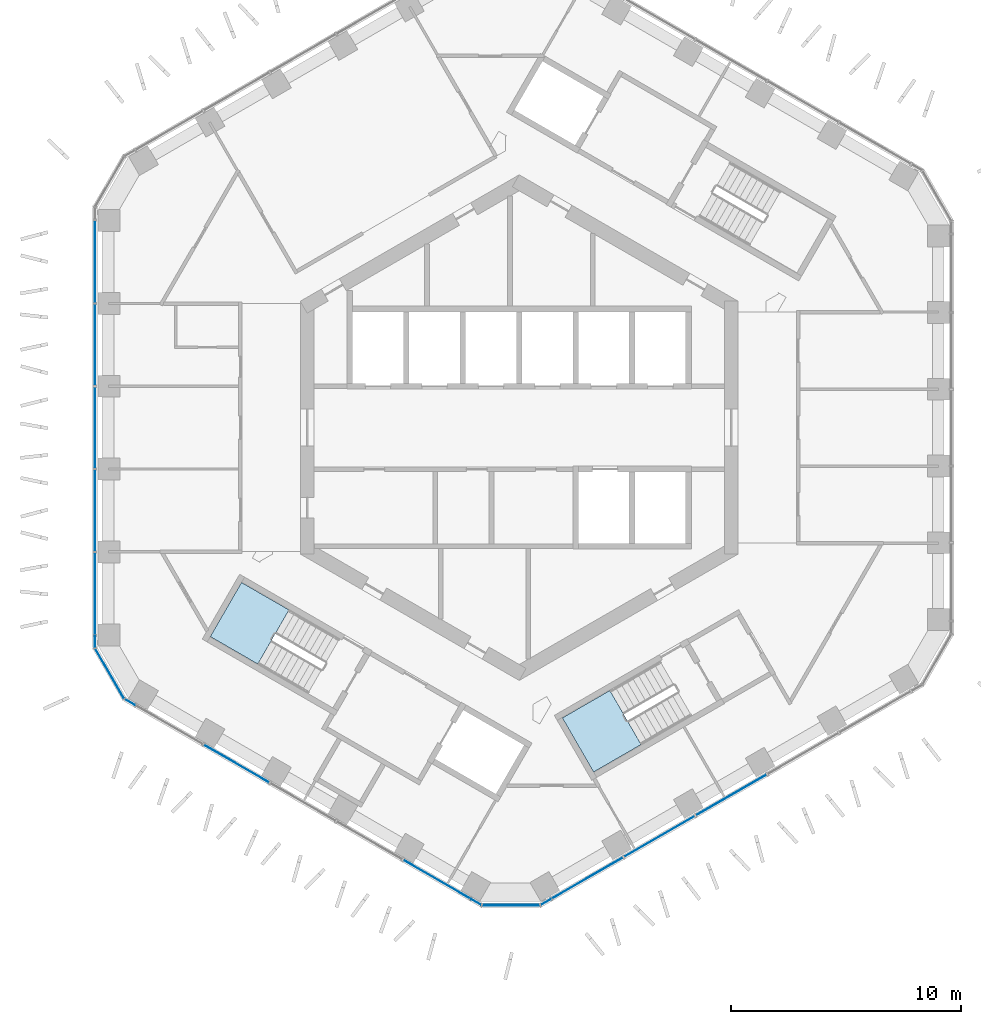
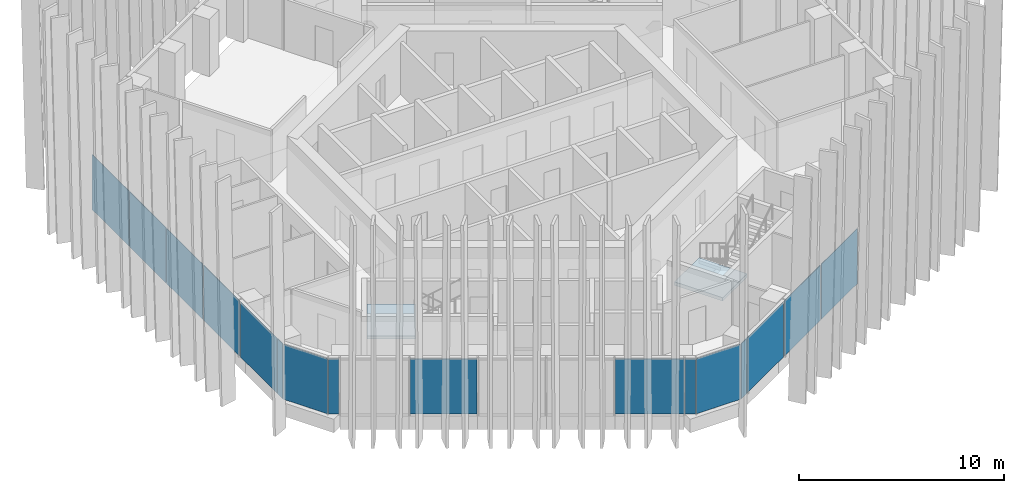
# One storey, part 9 of 21: 16 plates, 2 slabs, 7 elements without a shape of their own.
"""IFC4 building model written with IfcOpenShell, lengths in metres."""

from ifc_helpers import new_model, si_unit, direction, frame, origin, origin_2d, place, context, subcontext, project, spatial, polyline, rectangle, outline, extrude, material, layer, layer_set, type_object, element, aggregate, save


model = new_model("IFC4")

# Units and contexts
model_context = context("Model", 3, precision=1e-05, world=origin(), true_north=direction((0.0, 1.0)))
body_context = subcontext(model_context, "Body", "Model", "MODEL_VIEW")
ifc_project = project(units=[si_unit("LENGTHUNIT", "METRE"), si_unit("AREAUNIT", "SQUARE_METRE"), si_unit("VOLUMEUNIT", "CUBIC_METRE"), si_unit("PLANEANGLEUNIT", "RADIAN"), si_unit("MASSUNIT", "GRAM", prefix="KILO")], contexts=[model_context])

# Site, building, storey
site_placement = place(None, origin())
site = spatial("IfcSite", under=ifc_project, at=site_placement, CompositionType="ELEMENT")
building_placement = place(site_placement, origin())
building = spatial("IfcBuilding", under=site, at=building_placement, Name="Ayvan Gate Tower", CompositionType="ELEMENT")
storey_placement = place(building_placement, frame((0.0, 0.0, 173.10009765625)))
storey = spatial("IfcBuildingStorey", under=building, at=storey_placement, Name="L46", CompositionType="ELEMENT", Elevation=173.10009765625)

# Stair, slab
ifc_material_1 = material(Name="Concrete C40/50", Category="concrete")
stair_type = type_object("IfcStairType", Name="ST-EXIT", PredefinedType="HALF_TURN_STAIR", material=ifc_material_1)
stair_1_placement = place(storey_placement, origin())
stair_1 = element("IfcStair", 1, at=stair_1_placement, inside=storey, type_object=stair_type, Name="L46 Exit Stair S2", PredefinedType="HALF_TURN_STAIR")
ifc_layer_1 = layer(ifc_material_1, 0.199951171875)
ifc_layer_set_1 = layer_set([ifc_layer_1], Name="Concrete C40/50")
slab_type = type_object("IfcSlabType", Name="SL-LANDING-200", PredefinedType="LANDING", material=ifc_layer_set_1)
slab_1_placement = place(storey_placement, frame((0.0, 0.0, 1.5)))
slab_1 = element("IfcSlab", 2, at=slab_1_placement, type_object=slab_type, Name="STS2 landing 1", PredefinedType="LANDING", context=body_context, shape_type="SweptSolid", body=[
    extrude(outline(polyline([(-9.988525390625, -7.91064453125), (-12.049560546875, -6.720458984375), (-13.404541015625, -9.0673828125), (-11.343505859375, -10.257568359375), (-9.988525390625, -7.91064453125)])), origin(), (0.0, 0.0, 1.0), 0.199951171875),
])
aggregate(stair_1, [slab_1])

stair_2_placement = place(storey_placement, origin())
stair_2 = element("IfcStair", 3, at=stair_2_placement, inside=storey, type_object=stair_type, Name="L46 Exit Stair S3", PredefinedType="HALF_TURN_STAIR")
slab_2_placement = place(storey_placement, frame((0.0, 0.0, 1.5)))
slab_2 = element("IfcSlab", 4, at=slab_2_placement, type_object=slab_type, Name="STS3 landing 1", PredefinedType="LANDING", context=body_context, shape_type="SweptSolid", body=[
    extrude(outline(polyline([(3.93505859375, -11.405517578125), (1.873779296875, -12.595458984375), (3.228759765625, -14.9423828125), (5.2900390625, -13.75244140625), (3.93505859375, -11.405517578125)])), origin(), (0.0, 0.0, 1.0), 0.199951171875),
])
aggregate(stair_2, [slab_2])

# Curtain wall, plates
ifc_material_2 = material(Name="Bronze anodised aluminium", Category="aluminium")
ifc_layer_2 = layer(ifc_material_2, 0.199951171875)
ifc_layer_set_2 = layer_set([ifc_layer_2], Name="Bronze anodised aluminium")
curtain_wall_type_1 = type_object("IfcCurtainWallType", Name="Stick curtain wall CW-2", PredefinedType="NOTDEFINED", material=ifc_layer_set_2)
curtain_wall_1_placement = place(storey_placement, origin())
curtain_wall_1 = element("IfcCurtainWall", 5, at=curtain_wall_1_placement, inside=storey, type_object=curtain_wall_type_1, Name="Stick curtain wall CW-2 L46", PredefinedType="NOTDEFINED")
ifc_material_3 = material(Name="Clear low-iron laminated glass", Category="glass")
ifc_layer_3 = layer(ifc_material_3, 0.028076171875)
ifc_layer_set_3 = layer_set([ifc_layer_3], Name="Clear low-iron laminated glass")
plate_type_1 = type_object("IfcPlateType", Name="Stick curtain wall CW-2 glass panel", PredefinedType="CURTAIN_PANEL", material=ifc_layer_set_3)
plate_1_placement = place(storey_placement, frame((-18.405517578125, 7.2216796875, 0.0), z_axis=(0.0, 0.0, 1.0), x_axis=(0.0, -1.0, 0.0)))
plate_1 = element("IfcPlate", 6, at=plate_1_placement, type_object=plate_type_1, Name="CW-2 glass panel 1", PredefinedType="CURTAIN_PANEL", context=body_context, shape_type="SweptSolid", body=[
    extrude(rectangle(XDim=3.5849609375, YDim=0.028076171875, at=origin_2d()), origin(), (0.0, 0.0, 1.0), 3.280029296875),
])
plate_2_placement = place(storey_placement, frame((-18.405517578125, 3.59619140625, 0.0), z_axis=(0.0, 0.0, 1.0), x_axis=(0.0, -1.0, 0.0)))
plate_2 = element("IfcPlate", 7, at=plate_2_placement, type_object=plate_type_1, Name="CW-2 glass panel 2", PredefinedType="CURTAIN_PANEL", context=body_context, shape_type="SweptSolid", body=[
    extrude(rectangle(XDim=3.52587890625, YDim=0.028076171875, at=origin_2d()), origin(), (0.0, 0.0, 1.0), 3.280029296875),
])
plate_3_placement = place(storey_placement, frame((-18.405517578125, 0.000244140625, 0.0), z_axis=(0.0, 0.0, 1.0), x_axis=(0.0, -1.0, 0.0)))
plate_3 = element("IfcPlate", 8, at=plate_3_placement, type_object=plate_type_1, Name="CW-2 glass panel 3", PredefinedType="CURTAIN_PANEL", context=body_context, shape_type="SweptSolid", body=[
    extrude(rectangle(XDim=3.52587890625, YDim=0.028076171875, at=origin_2d()), origin(), (0.0, 0.0, 1.0), 3.280029296875),
])
plate_4_placement = place(storey_placement, frame((-18.405517578125, -3.59619140625, 0.0), z_axis=(0.0, 0.0, 1.0), x_axis=(0.0, -1.0, 0.0)))
plate_4 = element("IfcPlate", 9, at=plate_4_placement, type_object=plate_type_1, Name="CW-2 glass panel 4", PredefinedType="CURTAIN_PANEL", context=body_context, shape_type="SweptSolid", body=[
    extrude(rectangle(XDim=3.527099609375, YDim=0.028076171875, at=origin_2d()), origin(), (0.0, 0.0, 1.0), 3.280029296875),
])
plate_5_placement = place(storey_placement, frame((-18.405517578125, -7.221923828125, 0.0), z_axis=(0.0, 0.0, 1.0), x_axis=(0.0, -1.0, 0.0)))
plate_5 = element("IfcPlate", 10, at=plate_5_placement, type_object=plate_type_1, Name="CW-2 glass panel 5", PredefinedType="CURTAIN_PANEL", context=body_context, shape_type="SweptSolid", body=[
    extrude(rectangle(XDim=3.58447265625, YDim=0.028076171875, at=origin_2d()), origin(), (0.0, 0.0, 1.0), 3.280029296875),
])
aggregate(curtain_wall_1, [plate_1, plate_2, plate_3, plate_4, plate_5])

curtain_wall_2_placement = place(storey_placement, origin())
curtain_wall_2 = element("IfcCurtainWall", 11, at=curtain_wall_2_placement, inside=storey, type_object=curtain_wall_type_1, Name="Stick curtain wall CW-2 L46", PredefinedType="NOTDEFINED")
plate_6_placement = place(storey_placement, frame((-12.263671875, -14.58349609375, 0.0), z_axis=(0.0, 0.0, 1.0), x_axis=(0.866025403784, -0.5, 0.0)))
plate_6 = element("IfcPlate", 12, at=plate_6_placement, type_object=plate_type_1, Name="CW-2 glass panel 2", PredefinedType="CURTAIN_PANEL", context=body_context, shape_type="SweptSolid", body=[
    extrude(rectangle(XDim=3.259033203125, YDim=0.028076171875, at=origin_2d()), origin(), (0.0, 0.0, 1.0), 3.280029296875),
])
plate_7_placement = place(storey_placement, frame((-3.567138671875, -19.6044921875, 0.0), z_axis=(0.0, 0.0, 1.0), x_axis=(0.866025403784, -0.5, 0.0)))
plate_7 = element("IfcPlate", 13, at=plate_7_placement, type_object=plate_type_1, Name="CW-2 glass panel 5", PredefinedType="CURTAIN_PANEL", context=body_context, shape_type="SweptSolid", body=[
    extrude(rectangle(XDim=3.368896484375, YDim=0.028076171875, at=origin_2d()), origin(), (0.0, 0.0, 1.0), 3.280029296875),
])
aggregate(curtain_wall_2, [plate_6, plate_7])

curtain_wall_3_placement = place(storey_placement, origin())
curtain_wall_3 = element("IfcCurtainWall", 14, at=curtain_wall_3_placement, inside=storey, type_object=curtain_wall_type_1, Name="Stick curtain wall CW-2 L46", PredefinedType="NOTDEFINED")
plate_8_placement = place(storey_placement, frame((2.948486328125, -19.550537109375, 0.0), z_axis=(0.0, 0.0, 1.0), x_axis=(0.866025403784, 0.5, 0.0)))
plate_8 = element("IfcPlate", 15, at=plate_8_placement, type_object=plate_type_1, Name="CW-2 glass panel 1", PredefinedType="CURTAIN_PANEL", context=body_context, shape_type="SweptSolid", body=[
    extrude(rectangle(XDim=3.5849609375, YDim=0.028076171875, at=origin_2d()), origin(), (0.0, 0.0, 1.0), 3.280029296875),
])
plate_9_placement = place(storey_placement, frame((6.08837890625, -17.73779296875, 0.0), z_axis=(0.0, 0.0, 1.0), x_axis=(0.866025403784, 0.5, 0.0)))
plate_9 = element("IfcPlate", 16, at=plate_9_placement, type_object=plate_type_1, Name="CW-2 glass panel 2", PredefinedType="CURTAIN_PANEL", context=body_context, shape_type="SweptSolid", body=[
    extrude(rectangle(XDim=3.52587890625, YDim=0.028076171875, at=origin_2d()), origin(), (0.0, 0.0, 1.0), 3.280029296875),
])
plate_10_placement = place(storey_placement, frame((9.20263671875, -15.939697265625, 0.0), z_axis=(0.0, 0.0, 1.0), x_axis=(0.866025403784, 0.5, 0.0)))
plate_10 = element("IfcPlate", 17, at=plate_10_placement, type_object=plate_type_1, Name="CW-2 glass panel 3", PredefinedType="CURTAIN_PANEL", context=body_context, shape_type="SweptSolid", body=[
    extrude(rectangle(XDim=3.52587890625, YDim=0.028076171875, at=origin_2d()), origin(), (0.0, 0.0, 1.0), 3.280029296875),
])
aggregate(curtain_wall_3, [plate_8, plate_9, plate_10])

ifc_layer_4 = layer(ifc_material_2, 0.199951171875)
ifc_layer_set_4 = layer_set([ifc_layer_4], Name="Bronze anodised aluminium")
curtain_wall_type_2 = type_object("IfcCurtainWallType", Name="Stick curtain wall CW-6", PredefinedType="NOTDEFINED", material=ifc_layer_set_4)
curtain_wall_4_placement = place(storey_placement, origin())
curtain_wall_4 = element("IfcCurtainWall", 18, at=curtain_wall_4_placement, inside=storey, type_object=curtain_wall_type_2, Name="Stick curtain wall CW-6 L46", PredefinedType="NOTDEFINED")
ifc_layer_5 = layer(ifc_material_3, 0.028076171875)
ifc_layer_set_5 = layer_set([ifc_layer_5], Name="Clear low-iron laminated glass")
plate_type_2 = type_object("IfcPlateType", Name="Stick curtain wall CW-6 glass panel", PredefinedType="CURTAIN_PANEL", material=ifc_layer_set_5)
plate_11_placement = place(storey_placement, frame((-18.405517578125, -9.29931640625, 0.0), z_axis=(0.0, 0.0, 1.0), x_axis=(0.0, -1.0, 0.0)))
plate_11 = element("IfcPlate", 19, at=plate_11_placement, type_object=plate_type_2, Name="CW-6 glass panel 1", PredefinedType="CURTAIN_PANEL", context=body_context, shape_type="SweptSolid", body=[
    extrude(rectangle(XDim=0.5, YDim=0.028076171875, at=origin_2d()), origin(), (0.0, 0.0, 1.0), 3.280029296875),
])
plate_12_placement = place(storey_placement, frame((-17.771728515625, -10.671630859375, 0.0), z_axis=(0.0, 0.0, 1.0), x_axis=(0.5, -0.866025403784, 0.0)))
plate_12 = element("IfcPlate", 20, at=plate_12_placement, type_object=plate_type_2, Name="CW-6 glass panel 2", PredefinedType="CURTAIN_PANEL", context=body_context, shape_type="SweptSolid", body=[
    extrude(rectangle(XDim=2.484619140625, YDim=0.028076171875, at=origin_2d()), origin(), (0.0, 0.0, 1.0), 3.280029296875),
])
plate_13_placement = place(storey_placement, frame((-16.89990234375, -11.90673828125, 0.0), z_axis=(0.0, 0.0, 1.0), x_axis=(0.866025403784, -0.5, 0.0)))
plate_13 = element("IfcPlate", 21, at=plate_13_placement, type_object=plate_type_2, Name="CW-6 glass panel 3", PredefinedType="CURTAIN_PANEL", context=body_context, shape_type="SweptSolid", body=[
    extrude(rectangle(XDim=0.5, YDim=0.028076171875, at=origin_2d()), origin(), (0.0, 0.0, 1.0), 3.280029296875),
])
aggregate(curtain_wall_4, [plate_11, plate_12, plate_13])

curtain_wall_5_placement = place(storey_placement, origin())
curtain_wall_5 = element("IfcCurtainWall", 22, at=curtain_wall_5_placement, inside=storey, type_object=curtain_wall_type_2, Name="Stick curtain wall CW-6 L46", PredefinedType="NOTDEFINED")
plate_14_placement = place(storey_placement, frame((-1.861572265625, -20.589111328125, 0.0), z_axis=(0.0, 0.0, 1.0), x_axis=(0.866025403784, -0.5, 0.0)))
plate_14 = element("IfcPlate", 23, at=plate_14_placement, type_object=plate_type_2, Name="CW-6 glass panel 1", PredefinedType="CURTAIN_PANEL", context=body_context, shape_type="SweptSolid", body=[
    extrude(rectangle(XDim=0.5, YDim=0.028076171875, at=origin_2d()), origin(), (0.0, 0.0, 1.0), 3.280029296875),
])
plate_15_placement = place(storey_placement, frame((-0.356201171875, -20.726806640625, 0.0), z_axis=(0.0, 0.0, 1.0), x_axis=(1.0, 0.0, 0.0)))
plate_15 = element("IfcPlate", 24, at=plate_15_placement, type_object=plate_type_2, Name="CW-6 glass panel 2", PredefinedType="CURTAIN_PANEL", context=body_context, shape_type="SweptSolid", body=[
    extrude(rectangle(XDim=2.484619140625, YDim=0.028076171875, at=origin_2d()), origin(), (0.0, 0.0, 1.0), 3.280029296875),
])
plate_16_placement = place(storey_placement, frame((1.1494140625, -20.589111328125, 0.0), z_axis=(0.0, 0.0, 1.0), x_axis=(0.866025403784, 0.5, 0.0)))
plate_16 = element("IfcPlate", 25, at=plate_16_placement, type_object=plate_type_2, Name="CW-6 glass panel 3", PredefinedType="CURTAIN_PANEL", context=body_context, shape_type="SweptSolid", body=[
    extrude(rectangle(XDim=0.5, YDim=0.028076171875, at=origin_2d()), origin(), (0.0, 0.0, 1.0), 3.280029296875),
])
aggregate(curtain_wall_5, [plate_14, plate_15, plate_16])

save(model, "model.ifc")
